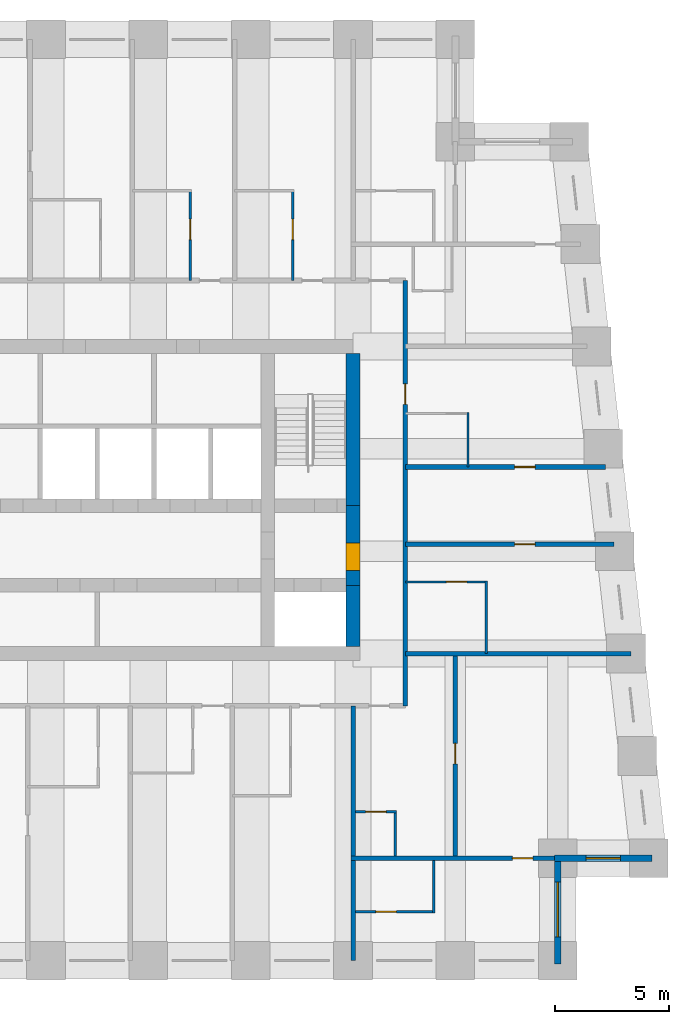
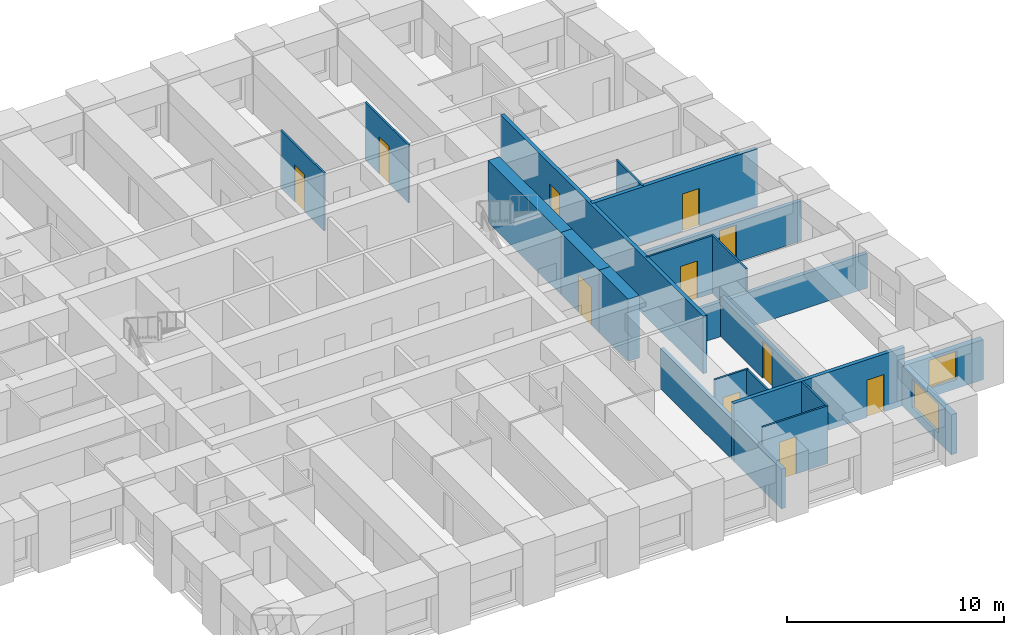
# One storey, part 5 of 8: 21 walls, 11 doors, 2 windows, 13 openings.
"""IFC4 building model written with IfcOpenShell, lengths in metres."""

from ifc_helpers import new_model, si_unit, direction, frame, frame_2d, origin, place, context, subcontext, project, spatial, rectangle, extrude, material, layer, layer_set, type_object, element, fill, save


model = new_model("IFC4")

# Units and contexts
model_context = context("Model", 3, precision=1e-05, world=origin(), true_north=direction((0.0, 1.0)))
body_context = subcontext(model_context, "Body", "Model", "MODEL_VIEW")
ifc_project = project(units=[si_unit("LENGTHUNIT", "METRE"), si_unit("AREAUNIT", "SQUARE_METRE"), si_unit("VOLUMEUNIT", "CUBIC_METRE"), si_unit("PLANEANGLEUNIT", "RADIAN"), si_unit("MASSUNIT", "GRAM", prefix="KILO")], contexts=[model_context])

# Site, building, storey
site_placement = place(None, origin())
site = spatial("IfcSite", under=ifc_project, at=site_placement, CompositionType="ELEMENT")
building_placement = place(site_placement, origin())
building = spatial("IfcBuilding", under=site, at=building_placement, Name="Kilele Tower Hotel", CompositionType="ELEMENT")
storey_placement = place(building_placement, frame((0.0, 0.0, 172.89990234375)))
storey = spatial("IfcBuildingStorey", under=building, at=storey_placement, Name="L44", CompositionType="ELEMENT", Elevation=172.89990234375)

# Wall
ifc_material_1 = material(Name="Moisture-resistant board")
ifc_layer_1 = layer(ifc_material_1, 0.10009765625)
ifc_layer_set_1 = layer_set([ifc_layer_1], Name="Moisture-resistant board")
wall_type_1 = type_object("IfcWallType", Name="Bathroom partition 100", PredefinedType="PLUMBINGWALL", material=ifc_layer_set_1)
wall_1_placement = place(storey_placement, frame((41.85009765625, 13.5, 0.0), z_axis=(0.0, 0.0, 1.0), x_axis=(0.0, 1.0, 0.0)))
element("IfcWall", 1, at=wall_1_placement, inside=storey, type_object=wall_type_1, Name="Bathroom partition 100 L44", PredefinedType="PLUMBINGWALL", context=body_context, shape_type="SweptSolid", body=[
    extrude(rectangle(XDim=3.199951171875, YDim=0.10009765625, at=frame_2d((1.60009765625, 0.0))), origin(), (0.0, 0.0, 1.0), 3.25),
])

# Wall, opening, door
wall_2_placement = place(storey_placement, frame((38.300048828125, 16.64990234375, 0.0), z_axis=(0.0, 0.0, 1.0), x_axis=(1.0, 0.0, 0.0)))
wall_2 = element("IfcWall", 2, at=wall_2_placement, inside=storey, type_object=wall_type_1, Name="Bathroom partition 100 L44", PredefinedType="PLUMBINGWALL", context=body_context, shape_type="SweptSolid", body=[
    extrude(rectangle(XDim=3.599853515625, YDim=0.10009765625, at=frame_2d((1.7998046875, 0.0))), origin(), (0.0, 0.0, 1.0), 3.25),
])
opening_1_placement = place(wall_2_placement, frame((1.800048828125, 0.0, 0.0)))
opening_1 = element("IfcOpeningElement", 3, at=opening_1_placement, cuts=wall_2, Name="Opening D2A", PredefinedType="OPENING", context=body_context, shape_type="SweptSolid", body=[
    extrude(rectangle(XDim=0.89990234375, YDim=2.10009765625, at=frame_2d((0.449951171875, 1.050048828125))), frame((0.0, 0.06005859375, 0.0), z_axis=(0.0, -1.0, 0.0), x_axis=(1.0, 0.0, 0.0)), (0.0, 0.0, 1.0), 0.1201171875),
])
ifc_material_2 = material(Name="Timber door leaf in hardwood frame", Category="wood")
door_type_1 = type_object("IfcDoorType", Name="Bathroom door 900", OperationType="SINGLE_SWING_LEFT", PredefinedType="DOOR", material=ifc_material_2)
door_1_placement = place(opening_1_placement, origin())
door_1 = element("IfcDoor", 4, at=door_1_placement, inside=storey, type_object=door_type_1, Name="Bathroom door 4406B", OperationType="SINGLE_SWING_RIGHT", OverallHeight=2.10009765625, OverallWidth=0.89990234375, PredefinedType="DOOR", context=body_context, shape_type="SweptSolid", body=[
    extrude(rectangle(XDim=0.89990234375, YDim=2.10009765625, at=frame_2d((0.449951171875, 1.050048828125))), frame((0.0, 0.02490234375, 0.0), z_axis=(0.0, -1.0, 0.0), x_axis=(1.0, 0.0, 0.0)), (0.0, 0.0, 1.0), 0.050048828125),
])
fill(opening_1, door_1)

# Wall
wall_3_placement = place(storey_placement, frame((41.050048828125, 21.699951171875, 0.0), z_axis=(0.0, 0.0, 1.0), x_axis=(0.0, 1.0, 0.0)))
element("IfcWall", 5, at=wall_3_placement, inside=storey, type_object=wall_type_1, Name="Bathroom partition 100 L44", PredefinedType="PLUMBINGWALL", context=body_context, shape_type="SweptSolid", body=[
    extrude(rectangle(XDim=2.400146484375, YDim=0.10009765625, at=frame_2d((1.2001953125, 0.0))), origin(), (0.0, 0.0, 1.0), 3.25),
])

# Wall, opening, door
wall_4_placement = place(storey_placement, frame((28.85009765625, 29.89990234375, 0.0), z_axis=(0.0, 0.0, 1.0), x_axis=(0.0, 1.0, 0.0)))
wall_4 = element("IfcWall", 6, at=wall_4_placement, inside=storey, type_object=wall_type_1, Name="Bathroom partition 100 L44", PredefinedType="PLUMBINGWALL", context=body_context, shape_type="SweptSolid", body=[
    extrude(rectangle(XDim=4.0, YDim=0.10009765625, at=frame_2d((2.0, 0.0))), origin(), (0.0, 0.0, 1.0), 3.25),
])
opening_2_placement = place(wall_4_placement, frame((2.699951171875, 0.0, 0.0), z_axis=(0.0, 0.0, 1.0), x_axis=(-1.0, 0.0, 0.0)))
opening_2 = element("IfcOpeningElement", 7, at=opening_2_placement, cuts=wall_4, Name="Opening D2A", PredefinedType="OPENING", context=body_context, shape_type="SweptSolid", body=[
    extrude(rectangle(XDim=0.89990234375, YDim=2.10009765625, at=frame_2d((0.449951171875, 1.050048828125))), frame((0.0, 0.06005859375, 0.0), z_axis=(0.0, -1.0, 0.0), x_axis=(1.0, 0.0, 0.0)), (0.0, 0.0, 1.0), 0.1201171875),
])
door_2_placement = place(opening_2_placement, origin())
door_2 = element("IfcDoor", 8, at=door_2_placement, inside=storey, type_object=door_type_1, Name="Bathroom door 4412B", OperationType="SINGLE_SWING_LEFT", OverallHeight=2.10009765625, OverallWidth=0.89990234375, PredefinedType="DOOR", context=body_context, shape_type="SweptSolid", body=[
    extrude(rectangle(XDim=0.89990234375, YDim=2.10009765625, at=frame_2d((0.449951171875, 1.050048828125))), frame((0.0, 0.02490234375, 0.0), z_axis=(0.0, -1.0, 0.0), x_axis=(1.0, 0.0, 0.0)), (0.0, 0.0, 1.0), 0.050048828125),
])
fill(opening_2, door_2)

wall_5_placement = place(storey_placement, frame((33.35009765625, 29.89990234375, 0.0), z_axis=(0.0, 0.0, 1.0), x_axis=(0.0, 1.0, 0.0)))
wall_5 = element("IfcWall", 9, at=wall_5_placement, inside=storey, type_object=wall_type_1, Name="Bathroom partition 100 L44", PredefinedType="PLUMBINGWALL", context=body_context, shape_type="SweptSolid", body=[
    extrude(rectangle(XDim=4.0, YDim=0.10009765625, at=frame_2d((2.0, 0.0))), origin(), (0.0, 0.0, 1.0), 3.25),
])
opening_3_placement = place(wall_5_placement, frame((2.699951171875, 0.0, 0.0), z_axis=(0.0, 0.0, 1.0), x_axis=(-1.0, 0.0, 0.0)))
opening_3 = element("IfcOpeningElement", 10, at=opening_3_placement, cuts=wall_5, Name="Opening D2A", PredefinedType="OPENING", context=body_context, shape_type="SweptSolid", body=[
    extrude(rectangle(XDim=0.89990234375, YDim=2.10009765625, at=frame_2d((0.449951171875, 1.050048828125))), frame((0.0, 0.06005859375, 0.0), z_axis=(0.0, -1.0, 0.0), x_axis=(1.0, 0.0, 0.0)), (0.0, 0.0, 1.0), 0.1201171875),
])
door_3_placement = place(opening_3_placement, origin())
door_3 = element("IfcDoor", 11, at=door_3_placement, inside=storey, type_object=door_type_1, Name="Bathroom door 4413B", OperationType="SINGLE_SWING_LEFT", OverallHeight=2.10009765625, OverallWidth=0.89990234375, PredefinedType="DOOR", context=body_context, shape_type="SweptSolid", body=[
    extrude(rectangle(XDim=0.89990234375, YDim=2.10009765625, at=frame_2d((0.449951171875, 1.050048828125))), frame((0.0, 0.02490234375, 0.0), z_axis=(0.0, -1.0, 0.0), x_axis=(1.0, 0.0, 0.0)), (0.0, 0.0, 1.0), 0.050048828125),
])
fill(opening_3, door_3)

# Wall
wall_6_placement = place(storey_placement, frame((37.85009765625, 4.60009765625, 0.0), z_axis=(0.0, 0.0, 1.0), x_axis=(0.0, 1.0, 0.0)))
element("IfcWall", 12, at=wall_6_placement, inside=storey, type_object=wall_type_1, Name="Bathroom partition 100 L44", PredefinedType="PLUMBINGWALL", context=body_context, shape_type="SweptSolid", body=[
    extrude(rectangle(XDim=2.0, YDim=0.10009765625, at=frame_2d((1.0, 0.0))), origin(), (0.0, 0.0, 1.0), 3.25),
])

# Wall, opening, door
wall_7_placement = place(storey_placement, frame((36.10009765625, 6.550048828125, 0.0), z_axis=(0.0, 0.0, 1.0), x_axis=(1.0, 0.0, 0.0)))
wall_7 = element("IfcWall", 13, at=wall_7_placement, inside=storey, type_object=wall_type_1, Name="Bathroom partition 100 L44", PredefinedType="PLUMBINGWALL", context=body_context, shape_type="SweptSolid", body=[
    extrude(rectangle(XDim=1.7998046875, YDim=0.10009765625, at=frame_2d((0.89990234375, 0.0))), origin(), (0.0, 0.0, 1.0), 3.25),
])
opening_4_placement = place(wall_7_placement, frame((0.449951171875, 0.0, 0.0)))
opening_4 = element("IfcOpeningElement", 14, at=opening_4_placement, cuts=wall_7, Name="Opening D2A", PredefinedType="OPENING", context=body_context, shape_type="SweptSolid", body=[
    extrude(rectangle(XDim=0.89990234375, YDim=2.10009765625, at=frame_2d((0.449951171875, 1.050048828125))), frame((0.0, 0.06005859375, 0.0), z_axis=(0.0, -1.0, 0.0), x_axis=(1.0, 0.0, 0.0)), (0.0, 0.0, 1.0), 0.1201171875),
])
door_4_placement = place(opening_4_placement, origin())
door_4 = element("IfcDoor", 15, at=door_4_placement, inside=storey, type_object=door_type_1, Name="Bathroom door 4419P", OperationType="SINGLE_SWING_LEFT", OverallHeight=2.10009765625, OverallWidth=0.89990234375, PredefinedType="DOOR", context=body_context, shape_type="SweptSolid", body=[
    extrude(rectangle(XDim=0.89990234375, YDim=2.10009765625, at=frame_2d((0.449951171875, 1.050048828125))), frame((0.0, 0.02490234375, 0.0), z_axis=(0.0, -1.0, 0.0), x_axis=(1.0, 0.0, 0.0)), (0.0, 0.0, 1.0), 0.050048828125),
])
fill(opening_4, door_4)

# Wall
wall_8_placement = place(storey_placement, frame((39.550048828125, 4.39990234375, 0.0), z_axis=(0.0, 0.0, 1.0), x_axis=(0.0, -1.0, 0.0)))
element("IfcWall", 16, at=wall_8_placement, inside=storey, type_object=wall_type_1, Name="Bathroom partition 100 L44", PredefinedType="PLUMBINGWALL", context=body_context, shape_type="SweptSolid", body=[
    extrude(rectangle(XDim=2.2998046875, YDim=0.10009765625, at=frame_2d((1.14990234375, 0.0))), origin(), (0.0, 0.0, 1.0), 3.25),
])

# Wall, opening, door
wall_9_placement = place(storey_placement, frame((36.10009765625, 2.14990234375, 0.0), z_axis=(0.0, 0.0, 1.0), x_axis=(1.0, 0.0, 0.0)))
wall_9 = element("IfcWall", 17, at=wall_9_placement, inside=storey, type_object=wall_type_1, Name="Bathroom partition 100 L44", PredefinedType="PLUMBINGWALL", context=body_context, shape_type="SweptSolid", body=[
    extrude(rectangle(XDim=3.5, YDim=0.10009765625, at=frame_2d((1.75, 0.0))), origin(), (0.0, 0.0, 1.0), 3.25),
])
opening_5_placement = place(wall_9_placement, frame((1.7998046875, 0.0, 0.0), z_axis=(0.0, 0.0, 1.0), x_axis=(-1.0, 0.0, 0.0)))
opening_5 = element("IfcOpeningElement", 18, at=opening_5_placement, cuts=wall_9, Name="Opening D2A", PredefinedType="OPENING", context=body_context, shape_type="SweptSolid", body=[
    extrude(rectangle(XDim=0.89990234375, YDim=2.10009765625, at=frame_2d((0.449951171875, 1.050048828125))), frame((0.0, 0.06005859375, 0.0), z_axis=(0.0, -1.0, 0.0), x_axis=(1.0, 0.0, 0.0)), (0.0, 0.0, 1.0), 0.1201171875),
])
door_5_placement = place(opening_5_placement, origin())
door_5 = element("IfcDoor", 19, at=door_5_placement, inside=storey, type_object=door_type_1, Name="Bathroom door 4421B", OperationType="SINGLE_SWING_RIGHT", OverallHeight=2.10009765625, OverallWidth=0.89990234375, PredefinedType="DOOR", context=body_context, shape_type="SweptSolid", body=[
    extrude(rectangle(XDim=0.89990234375, YDim=2.10009765625, at=frame_2d((0.449951171875, 1.050048828125))), frame((0.0, 0.02490234375, 0.0), z_axis=(0.0, -1.0, 0.0), x_axis=(1.0, 0.0, 0.0)), (0.0, 0.0, 1.0), 0.050048828125),
])
fill(opening_5, door_5)

# Wall
ifc_material_3 = material(Name="Concrete C70/85", Category="concrete")
ifc_layer_2 = layer(ifc_material_3, 0.60009765625)
ifc_layer_set_2 = layer_set([ifc_layer_2], Name="Concrete C70/85")
wall_type_2 = type_object("IfcWallType", Name="Core wall 600 C70/85", PredefinedType="SHEAR", material=ifc_layer_set_2)
wall_10_placement = place(storey_placement, frame((36.0, 13.800048828125, 0.0), z_axis=(0.0, 0.0, 1.0), x_axis=(0.0, 1.0, 0.0)))
element("IfcWall", 20, at=wall_10_placement, inside=storey, type_object=wall_type_2, Name="Core wall E1 L44", PredefinedType="SHEAR", context=body_context, shape_type="SweptSolid", body=[
    extrude(rectangle(XDim=2.699951171875, YDim=0.60009765625, at=frame_2d((1.35009765625, 0.0))), origin(), (0.0, 0.0, 1.0), 3.5),
])

# Wall, opening, door
wall_11_placement = place(storey_placement, frame((36.0, 16.5, 0.0), z_axis=(0.0, 0.0, 1.0), x_axis=(0.0, 1.0, 0.0)))
wall_11 = element("IfcWall", 21, at=wall_11_placement, inside=storey, type_object=wall_type_2, Name="Core wall E2 L44", PredefinedType="SHEAR", context=body_context, shape_type="SweptSolid", body=[
    extrude(rectangle(XDim=3.5, YDim=0.60009765625, at=frame_2d((1.75, 0.0))), origin(), (0.0, 0.0, 1.0), 3.5),
])
opening_6_placement = place(wall_11_placement, frame((0.64990234375, 0.0, 0.0)))
opening_6 = element("IfcOpeningElement", 22, at=opening_6_placement, cuts=wall_11, Name="Opening D4", PredefinedType="OPENING", context=body_context, shape_type="SweptSolid", body=[
    extrude(rectangle(XDim=1.199951171875, YDim=2.10009765625, at=frame_2d((0.60009765625, 1.050048828125))), frame((0.0, 0.31005859375, 0.0), z_axis=(0.0, -1.0, 0.0), x_axis=(1.0, 0.0, 0.0)), (0.0, 0.0, 1.0), 0.6201171875),
])
ifc_material_4 = material(Name="Timber door leaf in hardwood frame", Category="wood")
door_type_2 = type_object("IfcDoorType", Name="Firefighting lobby door 1200", OperationType="SINGLE_SWING_LEFT", PredefinedType="DOOR", material=ifc_material_4)
door_6_placement = place(opening_6_placement, origin())
door_6 = element("IfcDoor", 23, at=door_6_placement, inside=storey, type_object=door_type_2, Name="Lobby door L44", OperationType="SINGLE_SWING_LEFT", OverallHeight=2.10009765625, OverallWidth=1.199951171875, PredefinedType="DOOR", context=body_context, shape_type="SweptSolid", body=[
    extrude(rectangle(XDim=1.199951171875, YDim=2.10009765625, at=frame_2d((0.60009765625, 1.050048828125))), frame((0.0, 0.2998046875, 0.0), z_axis=(0.0, -1.0, 0.0), x_axis=(1.0, 0.0, 0.0)), (0.0, 0.0, 1.0), 0.599609375),
])
fill(opening_6, door_6)

# Wall
wall_12_placement = place(storey_placement, frame((36.0, 20.0, 0.0), z_axis=(0.0, 0.0, 1.0), x_axis=(0.0, 1.0, 0.0)))
element("IfcWall", 24, at=wall_12_placement, inside=storey, type_object=wall_type_2, Name="Core wall E3 L44", PredefinedType="SHEAR", context=body_context, shape_type="SweptSolid", body=[
    extrude(rectangle(XDim=6.699951171875, YDim=0.60009765625, at=frame_2d((3.35009765625, 0.0))), origin(), (0.0, 0.0, 1.0), 3.5),
])

# Wall, opening, door
ifc_material_5 = material(Name="Blockwork, plastered both sides", Category="masonry")
ifc_layer_3 = layer(ifc_material_5, 0.199951171875)
ifc_layer_set_3 = layer_set([ifc_layer_3], Name="Blockwork, plastered both sides")
wall_type_3 = type_object("IfcWallType", Name="Corridor wall 200", PredefinedType="PARTITIONING", material=ifc_layer_set_3)
wall_13_placement = place(storey_placement, frame((38.300048828125, 11.199951171875, 0.0), z_axis=(0.0, 0.0, 1.0), x_axis=(0.0, 1.0, 0.0)))
wall_13 = element("IfcWall", 25, at=wall_13_placement, inside=storey, type_object=wall_type_3, Name="Corridor wall 200 L44", PredefinedType="PARTITIONING", context=body_context, shape_type="SweptSolid", body=[
    extrude(rectangle(XDim=18.699951171875, YDim=0.199951171875, at=frame_2d((9.35009765625, 0.0))), origin(), (0.0, 0.0, 1.0), 3.25),
])
opening_7_placement = place(wall_13_placement, frame((14.14990234375, 0.0, 0.0), z_axis=(0.0, 0.0, 1.0), x_axis=(-1.0, 0.0, 0.0)))
opening_7 = element("IfcOpeningElement", 26, at=opening_7_placement, cuts=wall_13, Name="Opening D1", PredefinedType="OPENING", context=body_context, shape_type="SweptSolid", body=[
    extrude(rectangle(XDim=0.89990234375, YDim=2.10009765625, at=frame_2d((0.449951171875, 1.050048828125))), frame((0.0, 0.10986328125, 0.0), z_axis=(0.0, -1.0, 0.0), x_axis=(1.0, 0.0, 0.0)), (0.0, 0.0, 1.0), 0.219970703125),
])
ifc_material_6 = material(Name="Timber door leaf in hardwood frame", Category="wood")
door_type_3 = type_object("IfcDoorType", Name="Guest room entrance door 900", OperationType="SINGLE_SWING_LEFT", PredefinedType="DOOR", material=ifc_material_6)
door_7_placement = place(opening_7_placement, origin())
door_7 = element("IfcDoor", 27, at=door_7_placement, inside=storey, type_object=door_type_3, Name="Room entrance 4408", OperationType="SINGLE_SWING_RIGHT", OverallHeight=2.10009765625, OverallWidth=0.89990234375, PredefinedType="DOOR", context=body_context, shape_type="SweptSolid", body=[
    extrude(rectangle(XDim=0.89990234375, YDim=2.10009765625, at=frame_2d((0.449951171875, 1.050048828125))), frame((0.0, 0.02490234375, 0.0), z_axis=(0.0, -1.0, 0.0), x_axis=(1.0, 0.0, 0.0)), (0.0, 0.0, 1.0), 0.050048828125),
])
fill(opening_7, door_7)

ifc_material_7 = material(Name="Blockwork, plastered both sides", Category="masonry")
ifc_layer_4 = layer(ifc_material_7, 0.199951171875)
ifc_layer_set_4 = layer_set([ifc_layer_4], Name="Blockwork, plastered both sides")
wall_type_4 = type_object("IfcWallType", Name="Partition wall 200", PredefinedType="PARTITIONING", material=ifc_layer_set_4)
wall_14_placement = place(storey_placement, frame((40.5, 4.60009765625, 0.0), z_axis=(0.0, 0.0, 1.0), x_axis=(0.0, 1.0, 0.0)))
wall_14 = element("IfcWall", 28, at=wall_14_placement, inside=storey, type_object=wall_type_4, Name="Partition wall 200 L44", PredefinedType="PARTITIONING", context=body_context, shape_type="SweptSolid", body=[
    extrude(rectangle(XDim=8.7998046875, YDim=0.199951171875, at=frame_2d((4.39990234375, 0.0))), origin(), (0.0, 0.0, 1.0), 2.25),
])
opening_8_placement = place(wall_14_placement, frame((4.050048828125, 0.0, 0.0)))
opening_8 = element("IfcOpeningElement", 29, at=opening_8_placement, cuts=wall_14, Name="Opening D3", PredefinedType="OPENING", context=body_context, shape_type="SweptSolid", body=[
    extrude(rectangle(XDim=0.89990234375, YDim=2.10009765625, at=frame_2d((0.449951171875, 1.050048828125))), frame((0.0, 0.10986328125, 0.0), z_axis=(0.0, -1.0, 0.0), x_axis=(1.0, 0.0, 0.0)), (0.0, 0.0, 1.0), 0.219970703125),
])
ifc_material_8 = material(Name="Timber door leaf in hardwood frame", Category="wood")
door_type_4 = type_object("IfcDoorType", Name="Suite internal door 900", OperationType="SINGLE_SWING_LEFT", PredefinedType="DOOR", material=ifc_material_8)
door_8_placement = place(opening_8_placement, origin())
door_8 = element("IfcDoor", 30, at=door_8_placement, inside=storey, type_object=door_type_4, Name="Suite door 4420", OperationType="SINGLE_SWING_RIGHT", OverallHeight=2.10009765625, OverallWidth=0.89990234375, PredefinedType="DOOR", context=body_context, shape_type="SweptSolid", body=[
    extrude(rectangle(XDim=0.89990234375, YDim=2.10009765625, at=frame_2d((0.449951171875, 1.050048828125))), frame((0.0, 0.02490234375, 0.0), z_axis=(0.0, -1.0, 0.0), x_axis=(1.0, 0.0, 0.0)), (0.0, 0.0, 1.0), 0.050048828125),
])
fill(opening_8, door_8)

ifc_material_9 = material(Name="Blockwork, plastered both sides", Category="masonry")
ifc_layer_5 = layer(ifc_material_9, 0.199951171875)
ifc_layer_set_5 = layer_set([ifc_layer_5], Name="Blockwork, plastered both sides")
wall_type_5 = type_object("IfcWallType", Name="Party wall 200", PredefinedType="PARTITIONING", material=ifc_layer_set_5)
wall_15_placement = place(storey_placement, frame((38.300048828125, 18.300048828125, 0.0), z_axis=(0.0, 0.0, 1.0), x_axis=(1.0, 0.0, 0.0)))
wall_15 = element("IfcWall", 31, at=wall_15_placement, inside=storey, type_object=wall_type_5, Name="Party wall 200 L44", PredefinedType="PARTITIONING", context=body_context, shape_type="SweptSolid", body=[
    extrude(rectangle(XDim=9.165771484375, YDim=0.199951171875, at=frame_2d((4.5830078125, 0.0))), origin(), (0.0, 0.0, 1.0), 2.25),
])
opening_9_placement = place(wall_15_placement, frame((4.800048828125, 0.0, 0.0)))
opening_9 = element("IfcOpeningElement", 32, at=opening_9_placement, cuts=wall_15, Name="Opening D3", PredefinedType="OPENING", context=body_context, shape_type="SweptSolid", body=[
    extrude(rectangle(XDim=0.89990234375, YDim=2.10009765625, at=frame_2d((0.449951171875, 1.050048828125))), frame((0.0, 0.10986328125, 0.0), z_axis=(0.0, -1.0, 0.0), x_axis=(1.0, 0.0, 0.0)), (0.0, 0.0, 1.0), 0.219970703125),
])
door_9_placement = place(opening_9_placement, origin())
door_9 = element("IfcDoor", 33, at=door_9_placement, inside=storey, type_object=door_type_4, Name="Suite door 4407", OperationType="SINGLE_SWING_RIGHT", OverallHeight=2.10009765625, OverallWidth=0.89990234375, PredefinedType="DOOR", context=body_context, shape_type="SweptSolid", body=[
    extrude(rectangle(XDim=0.89990234375, YDim=2.10009765625, at=frame_2d((0.449951171875, 1.050048828125))), frame((0.0, 0.02490234375, 0.0), z_axis=(0.0, -1.0, 0.0), x_axis=(1.0, 0.0, 0.0)), (0.0, 0.0, 1.0), 0.050048828125),
])
fill(opening_9, door_9)

wall_16_placement = place(storey_placement, frame((38.300048828125, 21.699951171875, 0.0), z_axis=(0.0, 0.0, 1.0), x_axis=(1.0, 0.0, 0.0)))
wall_16 = element("IfcWall", 34, at=wall_16_placement, inside=storey, type_object=wall_type_5, Name="Party wall 200 L44", PredefinedType="PARTITIONING", context=body_context, shape_type="SweptSolid", body=[
    extrude(rectangle(XDim=8.787841796875, YDim=0.199951171875, at=frame_2d((4.39404296875, 0.0))), origin(), (0.0, 0.0, 1.0), 3.25),
])
opening_10_placement = place(wall_16_placement, frame((4.800048828125, 0.0, 0.0)))
opening_10 = element("IfcOpeningElement", 35, at=opening_10_placement, cuts=wall_16, Name="Opening D3", PredefinedType="OPENING", context=body_context, shape_type="SweptSolid", body=[
    extrude(rectangle(XDim=0.89990234375, YDim=2.10009765625, at=frame_2d((0.449951171875, 1.050048828125))), frame((0.0, 0.10986328125, 0.0), z_axis=(0.0, -1.0, 0.0), x_axis=(1.0, 0.0, 0.0)), (0.0, 0.0, 1.0), 0.219970703125),
])
door_10_placement = place(opening_10_placement, origin())
door_10 = element("IfcDoor", 36, at=door_10_placement, inside=storey, type_object=door_type_4, Name="Suite door 4408", OperationType="SINGLE_SWING_RIGHT", OverallHeight=2.10009765625, OverallWidth=0.89990234375, PredefinedType="DOOR", context=body_context, shape_type="SweptSolid", body=[
    extrude(rectangle(XDim=0.89990234375, YDim=2.10009765625, at=frame_2d((0.449951171875, 1.050048828125))), frame((0.0, 0.02490234375, 0.0), z_axis=(0.0, -1.0, 0.0), x_axis=(1.0, 0.0, 0.0)), (0.0, 0.0, 1.0), 0.050048828125),
])
fill(opening_10, door_10)

# Walls
wall_17_placement = place(storey_placement, frame((38.300048828125, 13.5, 0.0), z_axis=(0.0, 0.0, 1.0), x_axis=(1.0, 0.0, 0.0)))
element("IfcWall", 37, at=wall_17_placement, inside=storey, type_object=wall_type_5, Name="Party wall 200 L44", PredefinedType="PARTITIONING", context=body_context, shape_type="SweptSolid", body=[
    extrude(rectangle(XDim=9.921142578125, YDim=0.199951171875, at=frame_2d((4.96044921875, 0.0))), origin(), (0.0, 0.0, 1.0), 1.9501953125),
])
wall_18_placement = place(storey_placement, frame((36.0, 11.199951171875, 0.0), z_axis=(0.0, 0.0, 1.0), x_axis=(0.0, -1.0, 0.0)))
element("IfcWall", 38, at=wall_18_placement, inside=storey, type_object=wall_type_5, Name="Party wall 200 L44", PredefinedType="PARTITIONING", context=body_context, shape_type="SweptSolid", body=[
    extrude(rectangle(XDim=11.199951171875, YDim=0.199951171875, at=frame_2d((5.60009765625, 0.0))), origin(), (0.0, 0.0, 1.0), 2.25),
])

# Wall, opening, door
wall_19_placement = place(storey_placement, frame((35.89990234375, 4.5, 0.0), z_axis=(0.0, 0.0, 1.0), x_axis=(1.0, 0.0, 0.0)))
wall_19 = element("IfcWall", 39, at=wall_19_placement, inside=storey, type_object=wall_type_5, Name="Party wall 200 L44", PredefinedType="PARTITIONING", context=body_context, shape_type="SweptSolid", body=[
    extrude(rectangle(XDim=9.10009765625, YDim=0.199951171875, at=frame_2d((4.550048828125, 0.0))), origin(), (0.0, 0.0, 1.0), 3.25),
])
opening_11_placement = place(wall_19_placement, frame((7.10009765625, 0.0, 0.0)))
opening_11 = element("IfcOpeningElement", 40, at=opening_11_placement, cuts=wall_19, Name="Opening D3", PredefinedType="OPENING", context=body_context, shape_type="SweptSolid", body=[
    extrude(rectangle(XDim=0.89990234375, YDim=2.10009765625, at=frame_2d((0.449951171875, 1.050048828125))), frame((0.0, 0.10986328125, 0.0), z_axis=(0.0, -1.0, 0.0), x_axis=(1.0, 0.0, 0.0)), (0.0, 0.0, 1.0), 0.219970703125),
])
door_11_placement = place(opening_11_placement, origin())
door_11 = element("IfcDoor", 41, at=door_11_placement, inside=storey, type_object=door_type_4, Name="Suite door 4421", OperationType="SINGLE_SWING_RIGHT", OverallHeight=2.10009765625, OverallWidth=0.89990234375, PredefinedType="DOOR", context=body_context, shape_type="SweptSolid", body=[
    extrude(rectangle(XDim=0.89990234375, YDim=2.10009765625, at=frame_2d((0.449951171875, 1.050048828125))), frame((0.0, 0.02490234375, 0.0), z_axis=(0.0, -1.0, 0.0), x_axis=(1.0, 0.0, 0.0)), (0.0, 0.0, 1.0), 0.050048828125),
])
fill(opening_11, door_11)

# Wall, opening, window
ifc_material_10 = material(Name="Concrete C40/50 precast", Category="concrete")
ifc_layer_6 = layer(ifc_material_10, 0.260009765625, Name="Precast backing", Category="LoadBearing")
ifc_material_11 = material(Name="Reconstituted stone finish", Category="masonry")
ifc_layer_7 = layer(ifc_material_11, 0.0400390625, Name="Face mix", Category="Finish")
ifc_layer_set_6 = layer_set([ifc_layer_6, ifc_layer_7], Name="Precast concrete C40/50, reconstituted stone finish")
wall_type_6 = type_object("IfcWallType", Name="Precast stone facade wall 300", PredefinedType="STANDARD", material=ifc_layer_set_6)
wall_20_placement = place(storey_placement, frame((45.0, -0.14990234375, 0.0), z_axis=(0.0, 0.0, 1.0), x_axis=(0.0, 1.0, 0.0)))
wall_20 = element("IfcWall", 42, at=wall_20_placement, inside=storey, type_object=wall_type_6, Name="Facade wall L44 edge 4", PredefinedType="STANDARD", context=body_context, shape_type="SweptSolid", body=[
    extrude(rectangle(XDim=4.7998046875, YDim=0.300048828125, at=frame_2d((2.39990234375, 0.0))), origin(), (0.0, 0.0, 1.0), 2.25),
])
opening_12_placement = place(wall_20_placement, frame((1.199951171875, 0.0, 0.5)))
opening_12 = element("IfcOpeningElement", 43, at=opening_12_placement, cuts=wall_20, Name="Opening W3", PredefinedType="OPENING", context=body_context, shape_type="SweptSolid", body=[
    extrude(rectangle(XDim=2.39990234375, YDim=1.60009765625, at=frame_2d((1.199951171875, 0.800048828125))), frame((0.0, 0.159912109375, 0.0), z_axis=(0.0, -1.0, 0.0), x_axis=(1.0, 0.0, 0.0)), (0.0, 0.0, 1.0), 0.320068359375),
])
ifc_material_12 = material(Name="Aluminium frame, clear double glazing", Category="aluminium")
window_type_1 = type_object("IfcWindowType", Name="Window W3 2400 x 1600", PartitioningType="SINGLE_PANEL", PredefinedType="WINDOW", material=ifc_material_12)
window_1_placement = place(opening_12_placement, origin())
window_1 = element("IfcWindow", 44, at=window_1_placement, inside=storey, type_object=window_type_1, Name="Window L44", OverallHeight=1.60009765625, OverallWidth=2.39990234375, PartitioningType="SINGLE_PANEL", PredefinedType="WINDOW", context=body_context, shape_type="SweptSolid", body=[
    extrude(rectangle(XDim=2.39990234375, YDim=1.60009765625, at=frame_2d((1.199951171875, 0.800048828125))), frame((0.0, 0.030029296875, 0.0), z_axis=(0.0, -1.0, 0.0), x_axis=(1.0, 0.0, 0.0)), (0.0, 0.0, 1.0), 0.06005859375),
])
fill(opening_12, window_1)

wall_21_placement = place(storey_placement, frame((44.85009765625, 4.5, 0.0), z_axis=(0.0, 0.0, 1.0), x_axis=(1.0, 0.0, 0.0)))
wall_21 = element("IfcWall", 45, at=wall_21_placement, inside=storey, type_object=wall_type_6, Name="Facade wall L44 edge 5", PredefinedType="STANDARD", context=body_context, shape_type="SweptSolid", body=[
    extrude(rectangle(XDim=4.2998046875, YDim=0.300048828125, at=frame_2d((2.14990234375, 0.0))), origin(), (0.0, 0.0, 1.0), 2.25),
])
opening_13_placement = place(wall_21_placement, frame((1.39990234375, 0.0, 0.5)))
opening_13 = element("IfcOpeningElement", 46, at=opening_13_placement, cuts=wall_21, Name="Opening W3", PredefinedType="OPENING", context=body_context, shape_type="SweptSolid", body=[
    extrude(rectangle(XDim=1.5, YDim=1.60009765625, at=frame_2d((0.75, 0.800048828125))), frame((0.0, 0.159912109375, 0.0), z_axis=(0.0, -1.0, 0.0), x_axis=(1.0, 0.0, 0.0)), (0.0, 0.0, 1.0), 0.320068359375),
])
ifc_material_13 = material(Name="Aluminium frame, clear double glazing", Category="aluminium")
window_type_2 = type_object("IfcWindowType", Name="Window W3 1500 x 1600", PartitioningType="SINGLE_PANEL", PredefinedType="WINDOW", material=ifc_material_13)
window_2_placement = place(opening_13_placement, origin())
window_2 = element("IfcWindow", 47, at=window_2_placement, inside=storey, type_object=window_type_2, Name="Window L44", OverallHeight=1.60009765625, OverallWidth=1.5, PartitioningType="SINGLE_PANEL", PredefinedType="WINDOW", context=body_context, shape_type="SweptSolid", body=[
    extrude(rectangle(XDim=1.5, YDim=1.60009765625, at=frame_2d((0.75, 0.800048828125))), frame((0.0, 0.030029296875, 0.0), z_axis=(0.0, -1.0, 0.0), x_axis=(1.0, 0.0, 0.0)), (0.0, 0.0, 1.0), 0.06005859375),
])
fill(opening_13, window_2)

save(model, "model.ifc")
